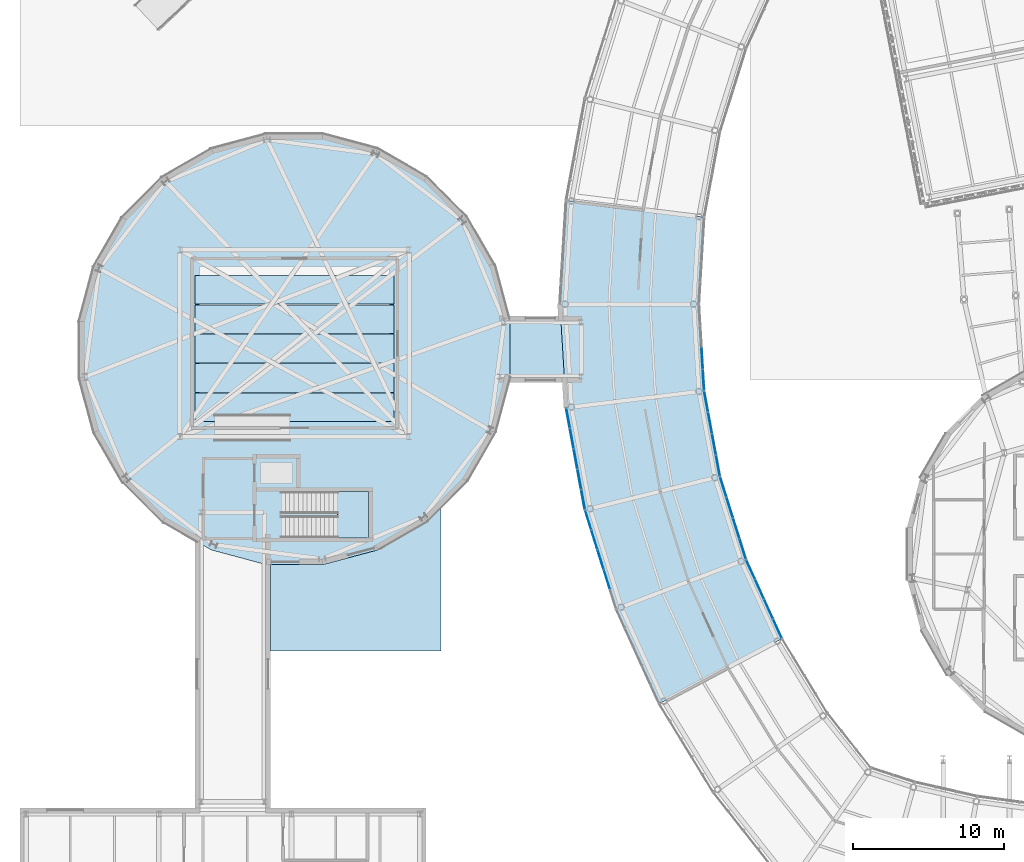
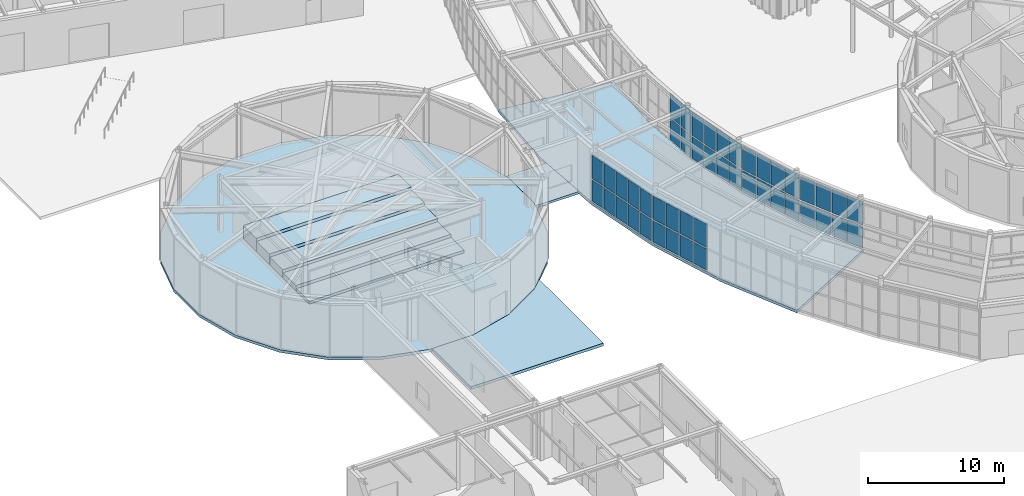
# One storey, part 56 of 97: 46 plates, 10 slabs, 7 elements without a shape of their own.
"""IFC4 building model written with IfcOpenShell, lengths in metres."""

from ifc_helpers import new_model, si_unit, direction, frame, origin, origin_2d, place, context, subcontext, project, spatial, polyline, rectangle, outline, extrude, material, layer, layer_set, type_object, element, aggregate, save


model = new_model("IFC4")

# Units and contexts
model_context = context("Model", 3, precision=1e-05, world=origin(), true_north=direction((0.0, 1.0)))
body_context = subcontext(model_context, "Body", "Model", "MODEL_VIEW")
ifc_project = project(units=[si_unit("LENGTHUNIT", "METRE"), si_unit("AREAUNIT", "SQUARE_METRE"), si_unit("VOLUMEUNIT", "CUBIC_METRE"), si_unit("PLANEANGLEUNIT", "RADIAN"), si_unit("MASSUNIT", "GRAM", prefix="KILO")], contexts=[model_context])

# Site, building, storey
site_placement = place(None, origin())
site = spatial("IfcSite", under=ifc_project, at=site_placement, CompositionType="ELEMENT")
building_placement = place(site_placement, origin())
building = spatial("IfcBuilding", under=site, at=building_placement, Name="Varnklinge Art Gallery", CompositionType="ELEMENT")
storey_placement = place(building_placement, origin())
storey = spatial("IfcBuildingStorey", under=building, at=storey_placement, Name="L00", CompositionType="ELEMENT", Elevation=0.0)

# Curtain wall, plates
ifc_material_1 = material(Name="Anodised Aluminium", Category="aluminium")
curtain_wall_type_1 = type_object("IfcCurtainWallType", Name="CW-R03", PredefinedType="USERDEFINED", material=ifc_material_1)
curtain_wall_1_placement = place(storey_placement, origin())
curtain_wall_1 = element("IfcCurtainWall", 1, at=curtain_wall_1_placement, inside=storey, type_object=curtain_wall_type_1, Name="L00 Curtain Wall CW-V2I-L00-27", ObjectType="UNITISED CURTAIN WALL", PredefinedType="USERDEFINED")
ifc_material_2 = material(Name="Insulated Low-E Triple Glazing", Category="glass")
ifc_layer_1 = layer(ifc_material_2, 0.031982421875)
ifc_layer_set_1 = layer_set([ifc_layer_1], Name="Insulated Low-E Triple Glazing")
plate_type_1 = type_object("IfcPlateType", Name="GLZ-32", PredefinedType="CURTAIN_PANEL", material=ifc_layer_set_1)
plate_1_placement = place(storey_placement, frame((48.91455078125, 49.97802734375, 0.1181640625), z_axis=(0.0, 0.0, 1.0), x_axis=(-0.06087433122, 0.9981454382, 0.0)))
plate_1 = element("IfcPlate", 2, at=plate_1_placement, type_object=plate_type_1, Name="CW-V2I-L00-27 Glazing Panel 1.1", PredefinedType="CURTAIN_PANEL", context=body_context, shape_type="SweptSolid", body=[
    extrude(rectangle(XDim=1.355712890625, YDim=0.031982421875, at=origin_2d()), origin(), (0.0, 0.0, 1.0), 1.950439453125),
])
plate_2_placement = place(storey_placement, frame((48.91455078125, 49.97802734375, 2.1845703125), z_axis=(0.0, 0.0, 1.0), x_axis=(-0.06087433122, 0.9981454382, 0.0)))
plate_2 = element("IfcPlate", 3, at=plate_2_placement, type_object=plate_type_1, Name="CW-V2I-L00-27 Glazing Panel 1.2", PredefinedType="CURTAIN_PANEL", context=body_context, shape_type="SweptSolid", body=[
    extrude(rectangle(XDim=1.355712890625, YDim=0.031982421875, at=origin_2d()), origin(), (0.0, 0.0, 1.0), 2.127685546875),
])
plate_3_placement = place(storey_placement, frame((48.827880859375, 51.40234375, 0.1181640625), z_axis=(0.0, 0.0, 1.0), x_axis=(-0.06087433122, 0.9981454382, 0.0)))
plate_3 = element("IfcPlate", 4, at=plate_3_placement, type_object=plate_type_1, Name="CW-V2I-L00-27 Glazing Panel 2.1", PredefinedType="CURTAIN_PANEL", context=body_context, shape_type="SweptSolid", body=[
    extrude(rectangle(XDim=1.3857421875, YDim=0.031982421875, at=origin_2d()), origin(), (0.0, 0.0, 1.0), 1.950439453125),
])
plate_4_placement = place(storey_placement, frame((48.827880859375, 51.40234375, 2.1845703125), z_axis=(0.0, 0.0, 1.0), x_axis=(-0.06087433122, 0.9981454382, 0.0)))
plate_4 = element("IfcPlate", 5, at=plate_4_placement, type_object=plate_type_1, Name="CW-V2I-L00-27 Glazing Panel 2.2", PredefinedType="CURTAIN_PANEL", context=body_context, shape_type="SweptSolid", body=[
    extrude(rectangle(XDim=1.3857421875, YDim=0.031982421875, at=origin_2d()), origin(), (0.0, 0.0, 1.0), 2.127685546875),
])
aggregate(curtain_wall_1, [plate_1, plate_2, plate_3, plate_4])

curtain_wall_2_placement = place(storey_placement, origin())
curtain_wall_2 = element("IfcCurtainWall", 6, at=curtain_wall_2_placement, inside=storey, type_object=curtain_wall_type_1, Name="L00 Curtain Wall CW-V2I-L00-28", ObjectType="UNITISED CURTAIN WALL", PredefinedType="USERDEFINED")
plate_5_placement = place(storey_placement, frame((49.873291015625, 44.296142578125, 0.1181640625), z_axis=(0.0, 0.0, 1.0), x_axis=(-0.181549039717, 0.983381892338, 0.0)))
plate_5 = element("IfcPlate", 7, at=plate_5_placement, type_object=plate_type_1, Name="CW-V2I-L00-28 Glazing Panel 1.1", PredefinedType="CURTAIN_PANEL", context=body_context, shape_type="SweptSolid", body=[
    extrude(rectangle(XDim=1.355712890625, YDim=0.031982421875, at=origin_2d()), origin(), (0.0, 0.0, 1.0), 1.950439453125),
])
plate_6_placement = place(storey_placement, frame((49.873291015625, 44.296142578125, 2.1845703125), z_axis=(0.0, 0.0, 1.0), x_axis=(-0.181549039717, 0.983381892338, 0.0)))
plate_6 = element("IfcPlate", 8, at=plate_6_placement, type_object=plate_type_1, Name="CW-V2I-L00-28 Glazing Panel 1.2", PredefinedType="CURTAIN_PANEL", context=body_context, shape_type="SweptSolid", body=[
    extrude(rectangle(XDim=1.355712890625, YDim=0.031982421875, at=origin_2d()), origin(), (0.0, 0.0, 1.0), 2.127685546875),
])
plate_7_placement = place(storey_placement, frame((49.614013671875, 45.69921875, 0.1181640625), z_axis=(0.0, 0.0, 1.0), x_axis=(-0.181549039717, 0.983381892338, 0.0)))
plate_7 = element("IfcPlate", 9, at=plate_7_placement, type_object=plate_type_1, Name="CW-V2I-L00-28 Glazing Panel 2.1", PredefinedType="CURTAIN_PANEL", context=body_context, shape_type="SweptSolid", body=[
    extrude(rectangle(XDim=1.3857421875, YDim=0.031982421875, at=origin_2d()), origin(), (0.0, 0.0, 1.0), 1.950439453125),
])
plate_8_placement = place(storey_placement, frame((49.614013671875, 45.69921875, 2.1845703125), z_axis=(0.0, 0.0, 1.0), x_axis=(-0.181549039717, 0.983381892338, 0.0)))
plate_8 = element("IfcPlate", 10, at=plate_8_placement, type_object=plate_type_1, Name="CW-V2I-L00-28 Glazing Panel 2.2", PredefinedType="CURTAIN_PANEL", context=body_context, shape_type="SweptSolid", body=[
    extrude(rectangle(XDim=1.3857421875, YDim=0.031982421875, at=origin_2d()), origin(), (0.0, 0.0, 1.0), 2.127685546875),
])
plate_9_placement = place(storey_placement, frame((49.352294921875, 47.116943359375, 0.1181640625), z_axis=(0.0, 0.0, 1.0), x_axis=(-0.181549039717, 0.983381892338, 0.0)))
plate_9 = element("IfcPlate", 11, at=plate_9_placement, type_object=plate_type_1, Name="CW-V2I-L00-28 Glazing Panel 3.1", PredefinedType="CURTAIN_PANEL", context=body_context, shape_type="SweptSolid", body=[
    extrude(rectangle(XDim=1.3857421875, YDim=0.031982421875, at=origin_2d()), origin(), (0.0, 0.0, 1.0), 1.950439453125),
])
plate_10_placement = place(storey_placement, frame((49.352294921875, 47.116943359375, 2.1845703125), z_axis=(0.0, 0.0, 1.0), x_axis=(-0.181549039717, 0.983381892338, 0.0)))
plate_10 = element("IfcPlate", 12, at=plate_10_placement, type_object=plate_type_1, Name="CW-V2I-L00-28 Glazing Panel 3.2", PredefinedType="CURTAIN_PANEL", context=body_context, shape_type="SweptSolid", body=[
    extrude(rectangle(XDim=1.3857421875, YDim=0.031982421875, at=origin_2d()), origin(), (0.0, 0.0, 1.0), 2.127685546875),
])
plate_11_placement = place(storey_placement, frame((49.093017578125, 48.52001953125, 0.1181640625), z_axis=(0.0, 0.0, 1.0), x_axis=(-0.181549039717, 0.983381892338, 0.0)))
plate_11 = element("IfcPlate", 13, at=plate_11_placement, type_object=plate_type_1, Name="CW-V2I-L00-28 Glazing Panel 4.1", PredefinedType="CURTAIN_PANEL", context=body_context, shape_type="SweptSolid", body=[
    extrude(rectangle(XDim=1.355712890625, YDim=0.031982421875, at=origin_2d()), origin(), (0.0, 0.0, 1.0), 1.950439453125),
])
plate_12_placement = place(storey_placement, frame((49.093017578125, 48.52001953125, 2.1845703125), z_axis=(0.0, 0.0, 1.0), x_axis=(-0.181549039717, 0.983381892338, 0.0)))
plate_12 = element("IfcPlate", 14, at=plate_12_placement, type_object=plate_type_1, Name="CW-V2I-L00-28 Glazing Panel 4.2", PredefinedType="CURTAIN_PANEL", context=body_context, shape_type="SweptSolid", body=[
    extrude(rectangle(XDim=1.355712890625, YDim=0.031982421875, at=origin_2d()), origin(), (0.0, 0.0, 1.0), 2.127685546875),
])
aggregate(curtain_wall_2, [plate_5, plate_6, plate_7, plate_8, plate_9, plate_10, plate_11, plate_12])

curtain_wall_3_placement = place(storey_placement, origin())
curtain_wall_3 = element("IfcCurtainWall", 15, at=curtain_wall_3_placement, inside=storey, type_object=curtain_wall_type_1, Name="L00 Curtain Wall CW-V2I-L00-29", ObjectType="UNITISED CURTAIN WALL", PredefinedType="USERDEFINED")
plate_13_placement = place(storey_placement, frame((51.514892578125, 38.7724609375, 0.1181640625), z_axis=(0.0, 0.0, 1.0), x_axis=(-0.299706904751, 0.954031326134, 0.0)))
plate_13 = element("IfcPlate", 16, at=plate_13_placement, type_object=plate_type_1, Name="CW-V2I-L00-29 Glazing Panel 1.1", PredefinedType="CURTAIN_PANEL", context=body_context, shape_type="SweptSolid", body=[
    extrude(rectangle(XDim=1.355712890625, YDim=0.031982421875, at=origin_2d()), origin(), (0.0, 0.0, 1.0), 1.950439453125),
])
plate_14_placement = place(storey_placement, frame((51.514892578125, 38.7724609375, 2.1845703125), z_axis=(0.0, 0.0, 1.0), x_axis=(-0.299706904751, 0.954031326134, 0.0)))
plate_14 = element("IfcPlate", 17, at=plate_14_placement, type_object=plate_type_1, Name="CW-V2I-L00-29 Glazing Panel 1.2", PredefinedType="CURTAIN_PANEL", context=body_context, shape_type="SweptSolid", body=[
    extrude(rectangle(XDim=1.355712890625, YDim=0.031982421875, at=origin_2d()), origin(), (0.0, 0.0, 1.0), 2.127685546875),
])
plate_15_placement = place(storey_placement, frame((51.08740234375, 40.1337890625, 0.1181640625), z_axis=(0.0, 0.0, 1.0), x_axis=(-0.299706904751, 0.954031326134, 0.0)))
plate_15 = element("IfcPlate", 18, at=plate_15_placement, type_object=plate_type_1, Name="CW-V2I-L00-29 Glazing Panel 2.1", PredefinedType="CURTAIN_PANEL", context=body_context, shape_type="SweptSolid", body=[
    extrude(rectangle(XDim=1.3857421875, YDim=0.031982421875, at=origin_2d()), origin(), (0.0, 0.0, 1.0), 1.950439453125),
])
plate_16_placement = place(storey_placement, frame((51.08740234375, 40.1337890625, 2.1845703125), z_axis=(0.0, 0.0, 1.0), x_axis=(-0.299706904751, 0.954031326134, 0.0)))
plate_16 = element("IfcPlate", 19, at=plate_16_placement, type_object=plate_type_1, Name="CW-V2I-L00-29 Glazing Panel 2.2", PredefinedType="CURTAIN_PANEL", context=body_context, shape_type="SweptSolid", body=[
    extrude(rectangle(XDim=1.3857421875, YDim=0.031982421875, at=origin_2d()), origin(), (0.0, 0.0, 1.0), 2.127685546875),
])
plate_17_placement = place(storey_placement, frame((50.6552734375, 41.509033203125, 0.1181640625), z_axis=(0.0, 0.0, 1.0), x_axis=(-0.299706904751, 0.954031326134, 0.0)))
plate_17 = element("IfcPlate", 20, at=plate_17_placement, type_object=plate_type_1, Name="CW-V2I-L00-29 Glazing Panel 3.1", PredefinedType="CURTAIN_PANEL", context=body_context, shape_type="SweptSolid", body=[
    extrude(rectangle(XDim=1.3857421875, YDim=0.031982421875, at=origin_2d()), origin(), (0.0, 0.0, 1.0), 1.950439453125),
])
plate_18_placement = place(storey_placement, frame((50.6552734375, 41.509033203125, 2.1845703125), z_axis=(0.0, 0.0, 1.0), x_axis=(-0.299706904751, 0.954031326134, 0.0)))
plate_18 = element("IfcPlate", 21, at=plate_18_placement, type_object=plate_type_1, Name="CW-V2I-L00-29 Glazing Panel 3.2", PredefinedType="CURTAIN_PANEL", context=body_context, shape_type="SweptSolid", body=[
    extrude(rectangle(XDim=1.3857421875, YDim=0.031982421875, at=origin_2d()), origin(), (0.0, 0.0, 1.0), 2.127685546875),
])
plate_19_placement = place(storey_placement, frame((50.2275390625, 42.870361328125, 0.1181640625), z_axis=(0.0, 0.0, 1.0), x_axis=(-0.299706904751, 0.954031326134, 0.0)))
plate_19 = element("IfcPlate", 22, at=plate_19_placement, type_object=plate_type_1, Name="CW-V2I-L00-29 Glazing Panel 4.1", PredefinedType="CURTAIN_PANEL", context=body_context, shape_type="SweptSolid", body=[
    extrude(rectangle(XDim=1.355712890625, YDim=0.031982421875, at=origin_2d()), origin(), (0.0, 0.0, 1.0), 1.950439453125),
])
plate_20_placement = place(storey_placement, frame((50.2275390625, 42.870361328125, 2.1845703125), z_axis=(0.0, 0.0, 1.0), x_axis=(-0.299706904751, 0.954031326134, 0.0)))
plate_20 = element("IfcPlate", 23, at=plate_20_placement, type_object=plate_type_1, Name="CW-V2I-L00-29 Glazing Panel 4.2", PredefinedType="CURTAIN_PANEL", context=body_context, shape_type="SweptSolid", body=[
    extrude(rectangle(XDim=1.355712890625, YDim=0.031982421875, at=origin_2d()), origin(), (0.0, 0.0, 1.0), 2.127685546875),
])
aggregate(curtain_wall_3, [plate_13, plate_14, plate_15, plate_16, plate_17, plate_18, plate_19, plate_20])

curtain_wall_4_placement = place(storey_placement, origin())
curtain_wall_4 = element("IfcCurtainWall", 24, at=curtain_wall_4_placement, inside=storey, type_object=curtain_wall_type_1, Name="L00 Curtain Wall CW-V2I-L00-30", ObjectType="UNITISED CURTAIN WALL", PredefinedType="USERDEFINED")
plate_21_placement = place(storey_placement, frame((53.8154296875, 33.4892578125, 0.1181640625), z_axis=(0.0, 0.0, 1.0), x_axis=(-0.413422293217, 0.910539404678, 0.0)))
plate_21 = element("IfcPlate", 25, at=plate_21_placement, type_object=plate_type_1, Name="CW-V2I-L00-30 Glazing Panel 1.1", PredefinedType="CURTAIN_PANEL", context=body_context, shape_type="SweptSolid", body=[
    extrude(rectangle(XDim=1.355712890625, YDim=0.031982421875, at=origin_2d()), origin(), (0.0, 0.0, 1.0), 1.950439453125),
])
plate_22_placement = place(storey_placement, frame((53.8154296875, 33.4892578125, 2.1845703125), z_axis=(0.0, 0.0, 1.0), x_axis=(-0.413422293217, 0.910539404678, 0.0)))
plate_22 = element("IfcPlate", 26, at=plate_22_placement, type_object=plate_type_1, Name="CW-V2I-L00-30 Glazing Panel 1.2", PredefinedType="CURTAIN_PANEL", context=body_context, shape_type="SweptSolid", body=[
    extrude(rectangle(XDim=1.355712890625, YDim=0.031982421875, at=origin_2d()), origin(), (0.0, 0.0, 1.0), 2.127685546875),
])
plate_23_placement = place(storey_placement, frame((53.2255859375, 34.788330078125, 0.1181640625), z_axis=(0.0, 0.0, 1.0), x_axis=(-0.413422293217, 0.910539404678, 0.0)))
plate_23 = element("IfcPlate", 27, at=plate_23_placement, type_object=plate_type_1, Name="CW-V2I-L00-30 Glazing Panel 2.1", PredefinedType="CURTAIN_PANEL", context=body_context, shape_type="SweptSolid", body=[
    extrude(rectangle(XDim=1.3857421875, YDim=0.031982421875, at=origin_2d()), origin(), (0.0, 0.0, 1.0), 1.950439453125),
])
plate_24_placement = place(storey_placement, frame((53.2255859375, 34.788330078125, 2.1845703125), z_axis=(0.0, 0.0, 1.0), x_axis=(-0.413422293217, 0.910539404678, 0.0)))
plate_24 = element("IfcPlate", 28, at=plate_24_placement, type_object=plate_type_1, Name="CW-V2I-L00-30 Glazing Panel 2.2", PredefinedType="CURTAIN_PANEL", context=body_context, shape_type="SweptSolid", body=[
    extrude(rectangle(XDim=1.3857421875, YDim=0.031982421875, at=origin_2d()), origin(), (0.0, 0.0, 1.0), 2.127685546875),
])
plate_25_placement = place(storey_placement, frame((52.629638671875, 36.101318359375, 0.1181640625), z_axis=(0.0, 0.0, 1.0), x_axis=(-0.413422293217, 0.910539404678, 0.0)))
plate_25 = element("IfcPlate", 29, at=plate_25_placement, type_object=plate_type_1, Name="CW-V2I-L00-30 Glazing Panel 3.1", PredefinedType="CURTAIN_PANEL", context=body_context, shape_type="SweptSolid", body=[
    extrude(rectangle(XDim=1.3857421875, YDim=0.031982421875, at=origin_2d()), origin(), (0.0, 0.0, 1.0), 1.950439453125),
])
plate_26_placement = place(storey_placement, frame((52.629638671875, 36.101318359375, 2.1845703125), z_axis=(0.0, 0.0, 1.0), x_axis=(-0.413422293217, 0.910539404678, 0.0)))
plate_26 = element("IfcPlate", 30, at=plate_26_placement, type_object=plate_type_1, Name="CW-V2I-L00-30 Glazing Panel 3.2", PredefinedType="CURTAIN_PANEL", context=body_context, shape_type="SweptSolid", body=[
    extrude(rectangle(XDim=1.3857421875, YDim=0.031982421875, at=origin_2d()), origin(), (0.0, 0.0, 1.0), 2.127685546875),
])
plate_27_placement = place(storey_placement, frame((52.039794921875, 37.400390625, 0.1181640625), z_axis=(0.0, 0.0, 1.0), x_axis=(-0.413422293217, 0.910539404678, 0.0)))
plate_27 = element("IfcPlate", 31, at=plate_27_placement, type_object=plate_type_1, Name="CW-V2I-L00-30 Glazing Panel 4.1", PredefinedType="CURTAIN_PANEL", context=body_context, shape_type="SweptSolid", body=[
    extrude(rectangle(XDim=1.355712890625, YDim=0.031982421875, at=origin_2d()), origin(), (0.0, 0.0, 1.0), 1.950439453125),
])
plate_28_placement = place(storey_placement, frame((52.039794921875, 37.400390625, 2.1845703125), z_axis=(0.0, 0.0, 1.0), x_axis=(-0.413422293217, 0.910539404678, 0.0)))
plate_28 = element("IfcPlate", 32, at=plate_28_placement, type_object=plate_type_1, Name="CW-V2I-L00-30 Glazing Panel 4.2", PredefinedType="CURTAIN_PANEL", context=body_context, shape_type="SweptSolid", body=[
    extrude(rectangle(XDim=1.355712890625, YDim=0.031982421875, at=origin_2d()), origin(), (0.0, 0.0, 1.0), 2.127685546875),
])
aggregate(curtain_wall_4, [plate_21, plate_22, plate_23, plate_24, plate_25, plate_26, plate_27, plate_28])

ifc_material_3 = material(Name="Anodised Aluminium", Category="aluminium")
curtain_wall_type_2 = type_object("IfcCurtainWallType", Name="CW-R01", PredefinedType="USERDEFINED", material=ifc_material_3)
curtain_wall_5_placement = place(storey_placement, origin())
curtain_wall_5 = element("IfcCurtainWall", 33, at=curtain_wall_5_placement, inside=storey, type_object=curtain_wall_type_2, Name="L00 Curtain Wall CW-V2O-L00-28", ObjectType="UNITISED CURTAIN WALL", PredefinedType="USERDEFINED")
ifc_material_4 = material(Name="Insulated Low-E Triple Glazing", Category="glass")
ifc_layer_2 = layer(ifc_material_4, 0.0380859375)
ifc_layer_set_2 = layer_set([ifc_layer_2], Name="Insulated Low-E Triple Glazing")
plate_type_2 = type_object("IfcPlateType", Name="GLZ-38", PredefinedType="CURTAIN_PANEL", material=ifc_layer_set_2)
plate_29_placement = place(storey_placement, frame((39.938720703125, 47.4306640625, 0.14794921875), z_axis=(0.0, 0.0, 1.0), x_axis=(0.18172066947, -0.983350191075, 0.0)))
plate_29 = element("IfcPlate", 34, at=plate_29_placement, type_object=plate_type_2, Name="CW-V2O-L00-28 Glazing Panel 1.1", PredefinedType="CURTAIN_PANEL", context=body_context, shape_type="SweptSolid", body=[
    extrude(rectangle(XDim=1.2841796875, YDim=0.0380859375, at=origin_2d()), origin(), (0.0, 0.0, 1.0), 1.905517578125),
])
plate_30_placement = place(storey_placement, frame((39.938720703125, 47.4306640625, 2.199462890625), z_axis=(0.0, 0.0, 1.0), x_axis=(0.18172066947, -0.983350191075, 0.0)))
plate_30 = element("IfcPlate", 35, at=plate_30_placement, type_object=plate_type_2, Name="CW-V2O-L00-28 Glazing Panel 1.2", PredefinedType="CURTAIN_PANEL", context=body_context, shape_type="SweptSolid", body=[
    extrude(rectangle(XDim=1.2841796875, YDim=0.0380859375, at=origin_2d()), origin(), (0.0, 0.0, 1.0), 2.08251953125),
])
plate_31_placement = place(storey_placement, frame((40.18603515625, 46.091796875, 0.14794921875), z_axis=(0.0, 0.0, 1.0), x_axis=(0.18172066947, -0.983350191075, 0.0)))
plate_31 = element("IfcPlate", 36, at=plate_31_placement, type_object=plate_type_2, Name="CW-V2O-L00-28 Glazing Panel 2.1", PredefinedType="CURTAIN_PANEL", context=body_context, shape_type="SweptSolid", body=[
    extrude(rectangle(XDim=1.31689453125, YDim=0.0380859375, at=origin_2d()), origin(), (0.0, 0.0, 1.0), 1.905517578125),
])
plate_32_placement = place(storey_placement, frame((40.18603515625, 46.091796875, 2.199462890625), z_axis=(0.0, 0.0, 1.0), x_axis=(0.18172066947, -0.983350191075, 0.0)))
plate_32 = element("IfcPlate", 37, at=plate_32_placement, type_object=plate_type_2, Name="CW-V2O-L00-28 Glazing Panel 2.2", PredefinedType="CURTAIN_PANEL", context=body_context, shape_type="SweptSolid", body=[
    extrude(rectangle(XDim=1.31689453125, YDim=0.0380859375, at=origin_2d()), origin(), (0.0, 0.0, 1.0), 2.08251953125),
])
plate_33_placement = place(storey_placement, frame((40.436279296875, 44.73681640625, 0.14794921875), z_axis=(0.0, 0.0, 1.0), x_axis=(0.18172066947, -0.983350191075, 0.0)))
plate_33 = element("IfcPlate", 38, at=plate_33_placement, type_object=plate_type_2, Name="CW-V2O-L00-28 Glazing Panel 3.1", PredefinedType="CURTAIN_PANEL", context=body_context, shape_type="SweptSolid", body=[
    extrude(rectangle(XDim=1.31689453125, YDim=0.0380859375, at=origin_2d()), origin(), (0.0, 0.0, 1.0), 1.905517578125),
])
plate_34_placement = place(storey_placement, frame((40.436279296875, 44.73681640625, 2.199462890625), z_axis=(0.0, 0.0, 1.0), x_axis=(0.18172066947, -0.983350191075, 0.0)))
plate_34 = element("IfcPlate", 39, at=plate_34_placement, type_object=plate_type_2, Name="CW-V2O-L00-28 Glazing Panel 3.2", PredefinedType="CURTAIN_PANEL", context=body_context, shape_type="SweptSolid", body=[
    extrude(rectangle(XDim=1.31689453125, YDim=0.0380859375, at=origin_2d()), origin(), (0.0, 0.0, 1.0), 2.08251953125),
])
plate_35_placement = place(storey_placement, frame((40.6865234375, 43.382080078125, 0.14794921875), z_axis=(0.0, 0.0, 1.0), x_axis=(0.18172066947, -0.983350191075, 0.0)))
plate_35 = element("IfcPlate", 40, at=plate_35_placement, type_object=plate_type_2, Name="CW-V2O-L00-28 Glazing Panel 4.1", PredefinedType="CURTAIN_PANEL", context=body_context, shape_type="SweptSolid", body=[
    extrude(rectangle(XDim=1.31689453125, YDim=0.0380859375, at=origin_2d()), origin(), (0.0, 0.0, 1.0), 1.905517578125),
])
plate_36_placement = place(storey_placement, frame((40.6865234375, 43.382080078125, 2.199462890625), z_axis=(0.0, 0.0, 1.0), x_axis=(0.18172066947, -0.983350191075, 0.0)))
plate_36 = element("IfcPlate", 41, at=plate_36_placement, type_object=plate_type_2, Name="CW-V2O-L00-28 Glazing Panel 4.2", PredefinedType="CURTAIN_PANEL", context=body_context, shape_type="SweptSolid", body=[
    extrude(rectangle(XDim=1.31689453125, YDim=0.0380859375, at=origin_2d()), origin(), (0.0, 0.0, 1.0), 2.08251953125),
])
plate_37_placement = place(storey_placement, frame((40.933837890625, 42.043212890625, 0.14794921875), z_axis=(0.0, 0.0, 1.0), x_axis=(0.18172066947, -0.983350191075, 0.0)))
plate_37 = element("IfcPlate", 42, at=plate_37_placement, type_object=plate_type_2, Name="CW-V2O-L00-28 Glazing Panel 5.1", PredefinedType="CURTAIN_PANEL", context=body_context, shape_type="SweptSolid", body=[
    extrude(rectangle(XDim=1.2841796875, YDim=0.0380859375, at=origin_2d()), origin(), (0.0, 0.0, 1.0), 1.905517578125),
])
plate_38_placement = place(storey_placement, frame((40.933837890625, 42.043212890625, 2.199462890625), z_axis=(0.0, 0.0, 1.0), x_axis=(0.18172066947, -0.983350191075, 0.0)))
plate_38 = element("IfcPlate", 43, at=plate_38_placement, type_object=plate_type_2, Name="CW-V2O-L00-28 Glazing Panel 5.2", PredefinedType="CURTAIN_PANEL", context=body_context, shape_type="SweptSolid", body=[
    extrude(rectangle(XDim=1.2841796875, YDim=0.0380859375, at=origin_2d()), origin(), (0.0, 0.0, 1.0), 2.08251953125),
])
aggregate(curtain_wall_5, [plate_29, plate_30, plate_31, plate_32, plate_33, plate_34, plate_35, plate_36, plate_37, plate_38])

curtain_wall_6_placement = place(storey_placement, origin())
curtain_wall_6 = element("IfcCurtainWall", 44, at=curtain_wall_6_placement, inside=storey, type_object=curtain_wall_type_2, Name="L00 Curtain Wall CW-V2O-L00-29", ObjectType="UNITISED CURTAIN WALL", PredefinedType="USERDEFINED")
plate_39_placement = place(storey_placement, frame((41.273193359375, 40.677001953125, 0.14794921875), z_axis=(0.0, 0.0, 1.0), x_axis=(0.299706904751, -0.954031326134, 0.0)))
plate_39 = element("IfcPlate", 45, at=plate_39_placement, type_object=plate_type_2, Name="CW-V2O-L00-29 Glazing Panel 1.1", PredefinedType="CURTAIN_PANEL", context=body_context, shape_type="SweptSolid", body=[
    extrude(rectangle(XDim=1.2841796875, YDim=0.0380859375, at=origin_2d()), origin(), (0.0, 0.0, 1.0), 1.905517578125),
])
plate_40_placement = place(storey_placement, frame((41.273193359375, 40.677001953125, 2.199462890625), z_axis=(0.0, 0.0, 1.0), x_axis=(0.299706904751, -0.954031326134, 0.0)))
plate_40 = element("IfcPlate", 46, at=plate_40_placement, type_object=plate_type_2, Name="CW-V2O-L00-29 Glazing Panel 1.2", PredefinedType="CURTAIN_PANEL", context=body_context, shape_type="SweptSolid", body=[
    extrude(rectangle(XDim=1.2841796875, YDim=0.0380859375, at=origin_2d()), origin(), (0.0, 0.0, 1.0), 2.08251953125),
])
plate_41_placement = place(storey_placement, frame((41.681396484375, 39.378173828125, 0.14794921875), z_axis=(0.0, 0.0, 1.0), x_axis=(0.299706904751, -0.954031326134, 0.0)))
plate_41 = element("IfcPlate", 47, at=plate_41_placement, type_object=plate_type_2, Name="CW-V2O-L00-29 Glazing Panel 2.1", PredefinedType="CURTAIN_PANEL", context=body_context, shape_type="SweptSolid", body=[
    extrude(rectangle(XDim=1.316650390625, YDim=0.0380859375, at=origin_2d()), origin(), (0.0, 0.0, 1.0), 1.905517578125),
])
plate_42_placement = place(storey_placement, frame((41.681396484375, 39.378173828125, 2.199462890625), z_axis=(0.0, 0.0, 1.0), x_axis=(0.299706904751, -0.954031326134, 0.0)))
plate_42 = element("IfcPlate", 48, at=plate_42_placement, type_object=plate_type_2, Name="CW-V2O-L00-29 Glazing Panel 2.2", PredefinedType="CURTAIN_PANEL", context=body_context, shape_type="SweptSolid", body=[
    extrude(rectangle(XDim=1.316650390625, YDim=0.0380859375, at=origin_2d()), origin(), (0.0, 0.0, 1.0), 2.08251953125),
])
plate_43_placement = place(storey_placement, frame((42.09423828125, 38.063720703125, 0.14794921875), z_axis=(0.0, 0.0, 1.0), x_axis=(0.299706904751, -0.954031326134, 0.0)))
plate_43 = element("IfcPlate", 49, at=plate_43_placement, type_object=plate_type_2, Name="CW-V2O-L00-29 Glazing Panel 3.1", PredefinedType="CURTAIN_PANEL", context=body_context, shape_type="SweptSolid", body=[
    extrude(rectangle(XDim=1.316650390625, YDim=0.0380859375, at=origin_2d()), origin(), (0.0, 0.0, 1.0), 1.905517578125),
])
plate_44_placement = place(storey_placement, frame((42.09423828125, 38.063720703125, 2.199462890625), z_axis=(0.0, 0.0, 1.0), x_axis=(0.299706904751, -0.954031326134, 0.0)))
plate_44 = element("IfcPlate", 50, at=plate_44_placement, type_object=plate_type_2, Name="CW-V2O-L00-29 Glazing Panel 3.2", PredefinedType="CURTAIN_PANEL", context=body_context, shape_type="SweptSolid", body=[
    extrude(rectangle(XDim=1.316650390625, YDim=0.0380859375, at=origin_2d()), origin(), (0.0, 0.0, 1.0), 2.08251953125),
])
plate_45_placement = place(storey_placement, frame((42.507080078125, 36.74951171875, 0.14794921875), z_axis=(0.0, 0.0, 1.0), x_axis=(0.299706904751, -0.954031326134, 0.0)))
plate_45 = element("IfcPlate", 51, at=plate_45_placement, type_object=plate_type_2, Name="CW-V2O-L00-29 Glazing Panel 4.1", PredefinedType="CURTAIN_PANEL", context=body_context, shape_type="SweptSolid", body=[
    extrude(rectangle(XDim=1.316650390625, YDim=0.0380859375, at=origin_2d()), origin(), (0.0, 0.0, 1.0), 1.905517578125),
])
plate_46_placement = place(storey_placement, frame((42.507080078125, 36.74951171875, 2.199462890625), z_axis=(0.0, 0.0, 1.0), x_axis=(0.299706904751, -0.954031326134, 0.0)))
plate_46 = element("IfcPlate", 52, at=plate_46_placement, type_object=plate_type_2, Name="CW-V2O-L00-29 Glazing Panel 4.2", PredefinedType="CURTAIN_PANEL", context=body_context, shape_type="SweptSolid", body=[
    extrude(rectangle(XDim=1.316650390625, YDim=0.0380859375, at=origin_2d()), origin(), (0.0, 0.0, 1.0), 2.08251953125),
])
aggregate(curtain_wall_6, [plate_39, plate_40, plate_41, plate_42, plate_43, plate_44, plate_45, plate_46])

# Slabs
ifc_material_5 = material(Name="Concrete C40/50", Category="concrete")
ifc_layer_3 = layer(ifc_material_5, 0.25)
ifc_layer_set_3 = layer_set([ifc_layer_3], Name="Concrete C40/50")
slab_type_1 = type_object("IfcSlabType", Name="SLB-APRON", PredefinedType="FLOOR", material=ifc_layer_set_3)
slab_1_placement = place(storey_placement, frame((0.0, 0.0, -0.25)))
element("IfcSlab", 53, at=slab_1_placement, inside=storey, type_object=slab_type_1, Name="L00 Auditorium South Exit Apron", PredefinedType="FLOOR", context=body_context, shape_type="SweptSolid", body=[
    extrude(outline(polyline([(30.566162109375, 40.57568359375), (27.310546875, 38.696044921875), (23.6796875, 37.72314453125), (20.199951171875, 37.72314453125), (20.199951171875, 32.0), (31.5, 32.0), (31.5, 41.509521484375), (30.566162109375, 40.57568359375)])), origin(), (0.0, 0.0, 1.0), 0.25),
])
ifc_material_6 = material(Name="Concrete C35/45", Category="concrete")
ifc_layer_4 = layer(ifc_material_6, 0.219970703125)
ifc_layer_set_4 = layer_set([ifc_layer_4], Name="Concrete C35/45")
slab_type_2 = type_object("IfcSlabType", Name="SLB-F22", PredefinedType="FLOOR", material=ifc_layer_set_4)
slab_2_placement = place(storey_placement, frame((0.0, 0.0, -0.219970703125)))
element("IfcSlab", 54, at=slab_2_placement, inside=storey, type_object=slab_type_2, Name="L00 LNK-V3 Gallery Link Slab", PredefinedType="FLOOR", context=body_context, shape_type="SweptSolid", body=[
    extrude(outline(polyline([(39.70849609375, 49.800048828125), (39.440185546875, 54.199951171875), (35.990966796875, 54.199951171875), (36.076904296875, 53.879638671875), (36.076904296875, 50.120361328125), (35.990966796875, 49.800048828125), (39.70849609375, 49.800048828125)])), origin(), (0.0, 0.0, 1.0), 0.219970703125),
])
ifc_material_7 = material(Name="Concrete C35/45", Category="concrete")
ifc_layer_5 = layer(ifc_material_7, 0.25)
ifc_layer_set_5 = layer_set([ifc_layer_5], Name="Concrete C35/45")
slab_type_3 = type_object("IfcSlabType", Name="SLB-F25", PredefinedType="FLOOR", material=ifc_layer_set_5)
slab_3_placement = place(storey_placement, frame((0.0, 0.0, -0.25)))
element("IfcSlab", 55, at=slab_3_placement, inside=storey, type_object=slab_type_3, Name="L00 Curved Gallery Ring Sector 6", PredefinedType="FLOOR", context=body_context, shape_type="SweptSolid", body=[
    extrude(outline(polyline([(39.3916015625, 55.0), (39.810546875, 48.1240234375), (41.06201171875, 41.349853515625), (43.126708984375, 34.77783203125), (45.974609375, 28.505126953125), (54.11962890625, 32.819091796875), (51.735595703125, 38.0703125), (50.0068359375, 43.572509765625), (48.95947265625, 49.24365234375), (48.6083984375, 55.0), (48.95947265625, 60.75634765625), (39.810546875, 61.8759765625), (39.3916015625, 55.0)])), origin(), (0.0, 0.0, 1.0), 0.25),
])
slab_4_placement = place(storey_placement, frame((0.0, 0.0, -0.25)))
element("IfcSlab", 56, at=slab_4_placement, inside=storey, type_object=slab_type_3, Name="L00 Auditorium Drum Slab", PredefinedType="FLOOR", context=body_context, shape_type="SweptSolid", body=[
    extrude(outline(polyline([(35.10400390625, 57.510498046875), (33.224365234375, 60.76611328125), (30.566162109375, 63.42431640625), (27.310546875, 65.303955078125), (23.6796875, 66.27685546875), (19.92041015625, 66.27685546875), (16.289306640625, 65.303955078125), (13.03369140625, 63.42431640625), (10.375732421875, 60.76611328125), (8.49609375, 57.510498046875), (7.523193359375, 53.879638671875), (7.523193359375, 50.120361328125), (8.49609375, 46.489501953125), (10.375732421875, 43.23388671875), (13.03369140625, 40.57568359375), (16.289306640625, 38.696044921875), (19.92041015625, 37.72314453125), (23.6796875, 37.72314453125), (27.310546875, 38.696044921875), (30.566162109375, 40.57568359375), (33.224365234375, 43.23388671875), (35.10400390625, 46.489501953125), (36.076904296875, 50.120361328125), (36.076904296875, 53.879638671875), (35.10400390625, 57.510498046875)])), origin(), (0.0, 0.0, 1.0), 0.25),
])

# Stair, slab
ifc_material_8 = material(Name="Concrete C40/50", Category="concrete")
stair_type = type_object("IfcStairType", Name="STR-C5100", PredefinedType="HALF_TURN_STAIR", material=ifc_material_8)
stair_placement = place(storey_placement, origin())
stair = element("IfcStair", 57, at=stair_placement, inside=storey, type_object=stair_type, Name="L00 Core C6 Stair ST-06", PredefinedType="HALF_TURN_STAIR")
ifc_material_9 = material(Name="Concrete C40/50", Category="concrete")
ifc_layer_6 = layer(ifc_material_9, 0.199951171875)
ifc_layer_set_6 = layer_set([ifc_layer_6], Name="Concrete C40/50")
slab_type_4 = type_object("IfcSlabType", Name="SLB-LND20", PredefinedType="LANDING", material=ifc_layer_set_6)
slab_5_placement = place(storey_placement, frame((0.0, 0.0, 2.35009765625)))
slab_5 = element("IfcSlab", 58, at=slab_5_placement, type_object=slab_type_4, Name="ST-06 landing 1", PredefinedType="LANDING", context=body_context, shape_type="SweptSolid", body=[
    extrude(outline(polyline([(24.639892578125, 39.5), (26.699951171875, 39.5), (26.699951171875, 42.56005859375), (24.639892578125, 42.56005859375), (24.639892578125, 39.5)])), origin(), (0.0, 0.0, 1.0), 0.199951171875),
])
aggregate(stair, [slab_5])

# Slabs
ifc_material_10 = material(Name="Concrete C40/50", Category="concrete")
ifc_layer_7 = layer(ifc_material_10, 0.260009765625)
ifc_layer_set_7 = layer_set([ifc_layer_7], Name="Concrete C40/50")
slab_type_5 = type_object("IfcSlabType", Name="SLB-TIER26", PredefinedType="USERDEFINED", material=ifc_layer_set_7)
slab_6_placement = place(storey_placement, origin())
element("IfcSlab", 59, at=slab_6_placement, inside=storey, type_object=slab_type_5, Name="L00 Auditorium Raked Seating Tier 1", ObjectType="SEATING TIER", PredefinedType="USERDEFINED", context=body_context, shape_type="SweptSolid", body=[
    extrude(outline(polyline([(15.199951171875, 47.199951171875), (28.39990234375, 47.199951171875), (28.39990234375, 49.10009765625), (15.199951171875, 49.10009765625), (15.199951171875, 47.199951171875)])), origin(), (0.0, 0.0, 1.0), 0.239990234375),
])
slab_7_placement = place(storey_placement, origin())
element("IfcSlab", 60, at=slab_7_placement, inside=storey, type_object=slab_type_5, Name="L00 Auditorium Raked Seating Tier 2", ObjectType="SEATING TIER", PredefinedType="USERDEFINED", context=body_context, shape_type="SweptSolid", body=[
    extrude(outline(polyline([(15.199951171875, 49.14990234375), (28.39990234375, 49.14990234375), (28.39990234375, 51.050048828125), (15.199951171875, 51.050048828125), (15.199951171875, 49.14990234375)])), origin(), (0.0, 0.0, 1.0), 0.47998046875),
])
slab_8_placement = place(storey_placement, origin())
element("IfcSlab", 61, at=slab_8_placement, inside=storey, type_object=slab_type_5, Name="L00 Auditorium Raked Seating Tier 3", ObjectType="SEATING TIER", PredefinedType="USERDEFINED", context=body_context, shape_type="SweptSolid", body=[
    extrude(outline(polyline([(15.199951171875, 51.10009765625), (28.39990234375, 51.10009765625), (28.39990234375, 53.0), (15.199951171875, 53.0), (15.199951171875, 51.10009765625)])), origin(), (0.0, 0.0, 1.0), 0.719970703125),
])
slab_9_placement = place(storey_placement, origin())
element("IfcSlab", 62, at=slab_9_placement, inside=storey, type_object=slab_type_5, Name="L00 Auditorium Raked Seating Tier 4", ObjectType="SEATING TIER", PredefinedType="USERDEFINED", context=body_context, shape_type="SweptSolid", body=[
    extrude(outline(polyline([(15.199951171875, 53.050048828125), (28.39990234375, 53.050048828125), (28.39990234375, 54.949951171875), (15.199951171875, 54.949951171875), (15.199951171875, 53.050048828125)])), origin(), (0.0, 0.0, 1.0), 0.9599609375),
])
slab_10_placement = place(storey_placement, origin())
element("IfcSlab", 63, at=slab_10_placement, inside=storey, type_object=slab_type_5, Name="L00 Auditorium Raked Seating Tier 5", ObjectType="SEATING TIER", PredefinedType="USERDEFINED", context=body_context, shape_type="SweptSolid", body=[
    extrude(outline(polyline([(15.199951171875, 55.0), (28.39990234375, 55.0), (28.39990234375, 56.89990234375), (15.199951171875, 56.89990234375), (15.199951171875, 55.0)])), origin(), (0.0, 0.0, 1.0), 1.199951171875),
])

save(model, "model.ifc")
